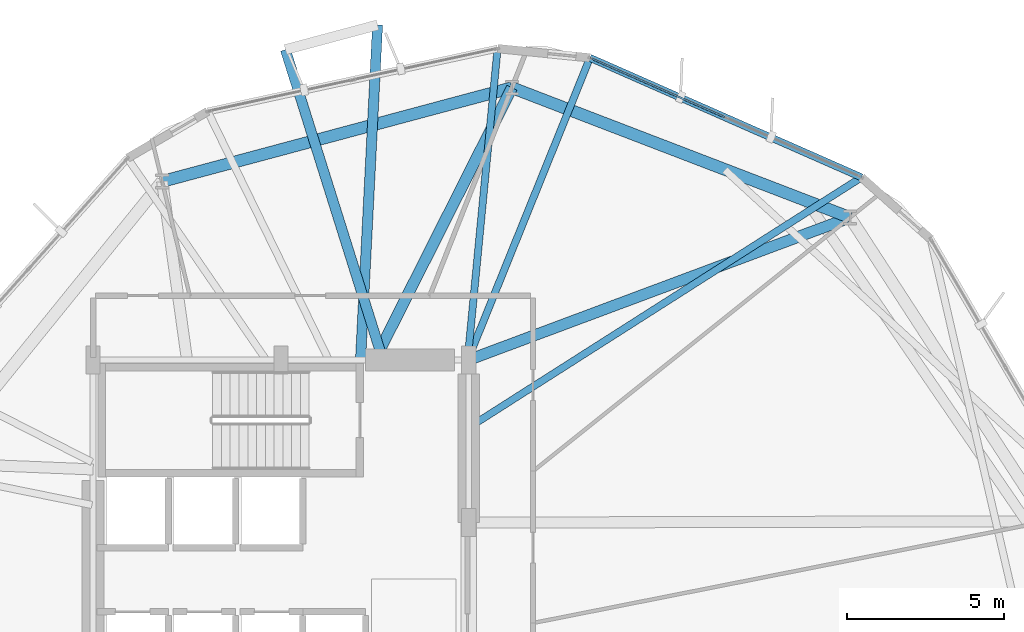
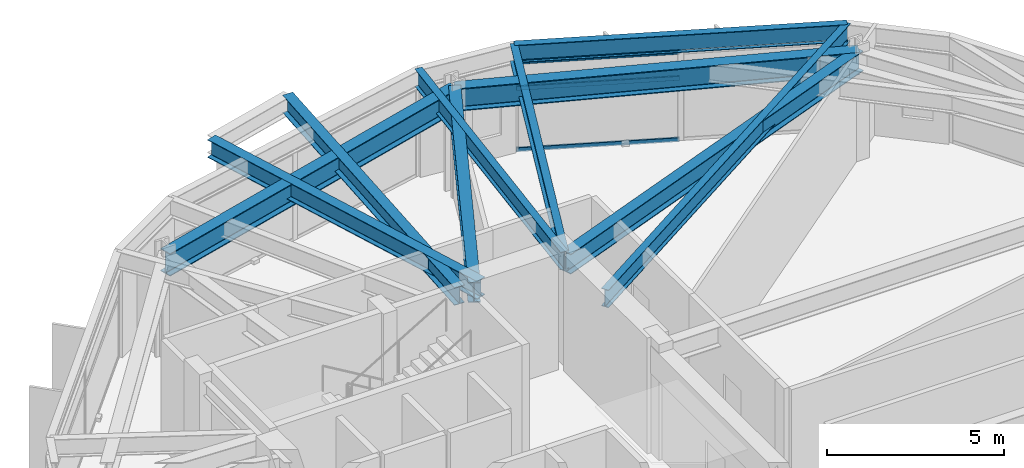
# One storey, part 12 of 22: 10 beams, 3 members, 1 element without a shape of its own.
"""IFC4 building model written with IfcOpenShell, lengths in metres."""

from ifc_helpers import new_model, si_unit, direction, frame, origin, origin_2d, place, context, subcontext, project, spatial, hollow_rectangle, i_section, extrude, material, layer, layer_set, material_profile, profile_set, type_object, element, aggregate, save


model = new_model("IFC4")

# Units and contexts
model_context = context("Model", 3, precision=1e-05, world=origin(), true_north=direction((0.0, 1.0)))
body_context = subcontext(model_context, "Body", "Model", "MODEL_VIEW")
ifc_project = project(units=[si_unit("LENGTHUNIT", "METRE"), si_unit("AREAUNIT", "SQUARE_METRE"), si_unit("VOLUMEUNIT", "CUBIC_METRE"), si_unit("PLANEANGLEUNIT", "RADIAN"), si_unit("MASSUNIT", "GRAM", prefix="KILO")], contexts=[model_context])

# Site, building, storey
site_placement = place(None, origin())
site = spatial("IfcSite", under=ifc_project, at=site_placement, CompositionType="ELEMENT")
building_placement = place(site_placement, origin())
building = spatial("IfcBuilding", under=site, at=building_placement, Name="Soratama Intermodal Tower", CompositionType="ELEMENT")
storey_placement = place(building_placement, frame((0.0, 0.0, 74.60009765625)))
storey = spatial("IfcBuildingStorey", under=building, at=storey_placement, Name="L17", CompositionType="ELEMENT", Elevation=74.60009765625)

# Beams
ifc_material_1 = material(Name="Structural steel ASTM A992 Grade 50", Category="steel")
ifc_material_profile_1 = material_profile(ifc_material_1, i_section(OverallWidth=0.324951171875, OverallDepth=0.615966796875, WebThickness=0.013916015625, FlangeThickness=0.021484375, FilletRadius=0.013916015625, at=origin_2d()), Name="W24X117")
ifc_profile_set_1 = profile_set([ifc_material_profile_1], Name="Structural steel ASTM A992 Grade 50")
beam_type_1 = type_object("IfcBeamType", Name="BM-CANT-W24X117", PredefinedType="BEAM", material=ifc_profile_set_1)
beam_1_placement = place(storey_placement, frame((41.14501953125, 35.0400390625, 3.391845703125), z_axis=(0.050773733127, 0.998710182197, 0.0), x_axis=(-0.998710182197, 0.050773733127, 0.0)))
element("IfcBeam", 1, at=beam_1_placement, inside=storey, type_object=beam_type_1, Name="BM-L17-CANT-2-1", PredefinedType="BEAM", context=body_context, shape_type="SweptSolid", body=[
    extrude(i_section(OverallWidth=0.324951171875, OverallDepth=0.615966796875, WebThickness=0.013916015625, FlangeThickness=0.021484375, FilletRadius=0.013916015625, at=origin_2d()), origin(), (0.0, 0.0, 1.0), 10.674560546875),
])
beam_2_placement = place(storey_placement, frame((41.845947265625, 35.0380859375, 3.391845703125), z_axis=(-0.299805742336, 0.954000270892, 0.0), x_axis=(-0.954000270892, -0.299805742336, 0.0)))
element("IfcBeam", 2, at=beam_2_placement, inside=storey, type_object=beam_type_1, Name="BM-L17-CANT-2-2", PredefinedType="BEAM", context=body_context, shape_type="SweptSolid", body=[
    extrude(i_section(OverallWidth=0.324951171875, OverallDepth=0.615966796875, WebThickness=0.013916015625, FlangeThickness=0.021484375, FilletRadius=0.013916015625, at=origin_2d()), origin(), (0.0, 0.0, 1.0), 10.35009765625),
])
ifc_material_2 = material(Name="Structural steel ASTM A992 Grade 50", Category="steel")
ifc_material_profile_2 = material_profile(ifc_material_2, i_section(OverallWidth=0.35498046875, OverallDepth=0.695068359375, WebThickness=0.015380859375, FlangeThickness=0.02490234375, FilletRadius=0.01611328125, at=origin_2d()), Name="W27X146")
ifc_profile_set_2 = profile_set([ifc_material_profile_2], Name="Structural steel ASTM A992 Grade 50")
beam_type_2 = type_object("IfcBeamType", Name="BM-RING-W27X146", PredefinedType="BEAM", material=ifc_profile_set_2)
beam_3_placement = place(storey_placement, frame((44.60009765625, 35.0, 3.352294921875), z_axis=(0.936827486358, 0.349791739189, 0.0), x_axis=(-0.349791739189, 0.936827486358, 0.0)))
element("IfcBeam", 3, at=beam_3_placement, inside=storey, type_object=beam_type_2, Name="BM-L17-RAD-02", PredefinedType="BEAM", context=body_context, shape_type="SweptSolid", body=[
    extrude(i_section(OverallWidth=0.35498046875, OverallDepth=0.695068359375, WebThickness=0.015380859375, FlangeThickness=0.02490234375, FilletRadius=0.01611328125, at=origin_2d()), origin(), (0.0, 0.0, 1.0), 13.002197265625),
])
beam_4_placement = place(storey_placement, frame((41.60009765625, 35.0, 3.352294921875), z_axis=(0.449910017166, 0.893073891934, 0.0), x_axis=(-0.893073891934, 0.449910017166, 0.0)))
element("IfcBeam", 4, at=beam_4_placement, inside=storey, type_object=beam_type_2, Name="BM-L17-RAD-03", PredefinedType="BEAM", context=body_context, shape_type="SweptSolid", body=[
    extrude(i_section(OverallWidth=0.35498046875, OverallDepth=0.695068359375, WebThickness=0.015380859375, FlangeThickness=0.02490234375, FilletRadius=0.01611328125, at=origin_2d()), origin(), (0.0, 0.0, 1.0), 9.735107421875),
])
ifc_material_3 = material(Name="Structural steel ASTM A992 Grade 50", Category="steel")
ifc_material_profile_3 = material_profile(ifc_material_3, i_section(OverallWidth=0.382080078125, OverallDepth=0.779052734375, WebThickness=0.01806640625, FlangeThickness=0.030029296875, FilletRadius=0.01806640625, at=origin_2d()), Name="W30X191")
ifc_profile_set_3 = profile_set([ifc_material_profile_3], Name="Structural steel ASTM A992 Grade 50")
beam_type_3 = type_object("IfcBeamType", Name="BM-RING-W30X191", PredefinedType="BEAM", material=ifc_profile_set_3)
beam_5_placement = place(storey_placement, frame((56.781005859375, 39.548095703125, 3.310302734375), z_axis=(-0.933584159632, 0.358358224246, 0.0), x_axis=(-0.358358224246, -0.933584159632, 0.0)))
element("IfcBeam", 5, at=beam_5_placement, inside=storey, type_object=beam_type_3, Name="BM-L17-RING-02", PredefinedType="BEAM", context=body_context, shape_type="SweptSolid", body=[
    extrude(i_section(OverallWidth=0.382080078125, OverallDepth=0.779052734375, WebThickness=0.01806640625, FlangeThickness=0.030029296875, FilletRadius=0.01806640625, at=origin_2d()), origin(), (0.0, 0.0, 1.0), 11.5693359375),
])
beam_6_placement = place(storey_placement, frame((45.97998046875, 43.694091796875, 3.310302734375), z_axis=(-0.965935902196, -0.258781438376, 0.0), x_axis=(0.258781438376, -0.965935902196, 0.0)))
element("IfcBeam", 6, at=beam_6_placement, inside=storey, type_object=beam_type_3, Name="BM-L17-RING-03", PredefinedType="BEAM", context=body_context, shape_type="SweptSolid", body=[
    extrude(i_section(OverallWidth=0.382080078125, OverallDepth=0.779052734375, WebThickness=0.01806640625, FlangeThickness=0.030029296875, FilletRadius=0.01806640625, at=origin_2d()), origin(), (0.0, 0.0, 1.0), 11.570068359375),
])
ifc_material_4 = material(Name="Structural steel ASTM A992 Grade 50", Category="steel")
ifc_material_profile_4 = material_profile(ifc_material_4, i_section(OverallWidth=0.22900390625, OverallDepth=0.612060546875, WebThickness=0.011962890625, FlangeThickness=0.01953125, FilletRadius=0.012939453125, at=origin_2d()), Name="W24X84")
ifc_profile_set_4 = profile_set([ifc_material_profile_4], Name="Structural steel ASTM A992 Grade 50")
beam_type_4 = type_object("IfcBeamType", Name="BM-SPN-W24X84", PredefinedType="SPANDREL", material=ifc_profile_set_4)
beam_7_placement = place(storey_placement, frame((57.14697265625, 40.8310546875, 3.393798828125), z_axis=(-0.915227267836, 0.402938020307, 0.0), x_axis=(-0.402938020307, -0.915227267836, 0.0)))
element("IfcBeam", 7, at=beam_7_placement, inside=storey, type_object=beam_type_4, Name="BS-L17-F02", PredefinedType="SPANDREL", context=body_context, shape_type="SweptSolid", body=[
    extrude(i_section(OverallWidth=0.22900390625, OverallDepth=0.612060546875, WebThickness=0.011962890625, FlangeThickness=0.01953125, FilletRadius=0.012939453125, at=origin_2d()), origin(), (0.0, 0.0, 1.0), 9.4775390625),
])
ifc_material_5 = material(Name="Structural steel ASTM A992 Grade 50", Category="steel")
ifc_material_profile_5 = material_profile(ifc_material_5, i_section(OverallWidth=0.22900390625, OverallDepth=0.612060546875, WebThickness=0.011962890625, FlangeThickness=0.01953125, FilletRadius=0.012939453125, at=origin_2d()), Name="W24X84")
ifc_profile_set_5 = profile_set([ifc_material_profile_5], Name="Structural steel ASTM A992 Grade 50")
beam_type_5 = type_object("IfcBeamType", Name="BM-TIE-W24X84", PredefinedType="BEAM", material=ifc_profile_set_5)
beam_8_placement = place(storey_placement, frame((44.634033203125, 32.85888671875, 3.393798828125), z_axis=(0.843374757873, 0.537325802267, 0.0), x_axis=(-0.537325802267, 0.843374757873, 0.0)))
element("IfcBeam", 8, at=beam_8_placement, inside=storey, type_object=beam_type_5, Name="BM-L17-TIE0-02", PredefinedType="BEAM", context=body_context, shape_type="SweptSolid", body=[
    extrude(i_section(OverallWidth=0.22900390625, OverallDepth=0.612060546875, WebThickness=0.011962890625, FlangeThickness=0.01953125, FilletRadius=0.012939453125, at=origin_2d()), origin(), (0.0, 0.0, 1.0), 14.836669921875),
])
beam_9_placement = place(storey_placement, frame((44.5849609375, 35.037109375, 3.393798828125), z_axis=(0.374948054945, 0.927045822003, 0.0), x_axis=(-0.927045822003, 0.374948054945, 0.0)))
element("IfcBeam", 9, at=beam_9_placement, inside=storey, type_object=beam_type_5, Name="BM-L17-TIE1-02", PredefinedType="BEAM", context=body_context, shape_type="SweptSolid", body=[
    extrude(i_section(OverallWidth=0.22900390625, OverallDepth=0.612060546875, WebThickness=0.011962890625, FlangeThickness=0.01953125, FilletRadius=0.012939453125, at=origin_2d()), origin(), (0.0, 0.0, 1.0), 10.369384765625),
])
beam_10_placement = place(storey_placement, frame((44.568115234375, 35.0400390625, 3.393798828125), z_axis=(0.095740918671, 0.995406287147, 0.0), x_axis=(-0.995406287147, 0.095740918671, 0.0)))
element("IfcBeam", 10, at=beam_10_placement, inside=storey, type_object=beam_type_5, Name="BM-L17-TIE0-03", PredefinedType="BEAM", context=body_context, shape_type="SweptSolid", body=[
    extrude(i_section(OverallWidth=0.22900390625, OverallDepth=0.612060546875, WebThickness=0.011962890625, FlangeThickness=0.01953125, FilletRadius=0.012939453125, at=origin_2d()), origin(), (0.0, 0.0, 1.0), 9.95263671875),
])

# Curtain wall, members
ifc_material_6 = material(Name="Double-glazed aluminium curtain wall", Category="aluminium")
ifc_layer = layer(ifc_material_6, 0.159912109375)
ifc_layer_set = layer_set([ifc_layer], Name="Double-glazed aluminium curtain wall")
curtain_wall_type = type_object("IfcCurtainWallType", Name="CW-SYS-2", PredefinedType="NOTDEFINED", material=ifc_layer_set)
curtain_wall_placement = place(storey_placement, origin())
curtain_wall = element("IfcCurtainWall", 11, at=curtain_wall_placement, inside=storey, type_object=curtain_wall_type, Name="L17 Faceted Curtain Wall F02", PredefinedType="NOTDEFINED")
ifc_material_7 = material(Name="Anodised aluminium AA 6063-T6", Category="aluminium")
ifc_material_profile_6 = material_profile(ifc_material_7, hollow_rectangle(XDim=0.06494140625, YDim=0.14990234375, WallThickness=0.0048828125, InnerFilletRadius=0.0048828125, OuterFilletRadius=0.010009765625, at=origin_2d()), Name="CWT150X65X5")
ifc_profile_set_6 = profile_set([ifc_material_profile_6], Name="Anodised aluminium AA 6063-T6")
member_type = type_object("IfcMemberType", Name="TT-CWT-1", PredefinedType="USERDEFINED", material=ifc_profile_set_6)
member_1_placement = place(storey_placement, frame((52.7822265625, 42.752685546875, 0.02978515625), z_axis=(-0.915226724867, 0.402939253597, 0.0), x_axis=(-0.402939253597, -0.915226724867, 0.0)))
member_1 = element("IfcMember", 12, at=member_1_placement, type_object=member_type, Name="CW-2 transom 2.1", ObjectType="TRANSOM", PredefinedType="USERDEFINED", context=body_context, shape_type="SweptSolid", body=[
    extrude(hollow_rectangle(XDim=0.06494140625, YDim=0.14990234375, WallThickness=0.0048828125, InnerFilletRadius=0.0048828125, OuterFilletRadius=0.010009765625, at=origin_2d()), origin(), (0.0, 0.0, 1.0), 4.6484375),
])
member_2_placement = place(storey_placement, frame((52.7822265625, 42.752685546875, 2.14990234375), z_axis=(-0.915226724867, 0.402939253597, 0.0), x_axis=(-0.402939253597, -0.915226724867, 0.0)))
member_2 = element("IfcMember", 13, at=member_2_placement, type_object=member_type, Name="CW-2 transom 2.2", ObjectType="TRANSOM", PredefinedType="USERDEFINED", context=body_context, shape_type="SweptSolid", body=[
    extrude(hollow_rectangle(XDim=0.06494140625, YDim=0.14990234375, WallThickness=0.0048828125, InnerFilletRadius=0.0048828125, OuterFilletRadius=0.010009765625, at=origin_2d()), origin(), (0.0, 0.0, 1.0), 4.6484375),
])
member_3_placement = place(storey_placement, frame((52.7822265625, 42.752685546875, 3.048828125), z_axis=(-0.915226724867, 0.402939253597, 0.0), x_axis=(-0.402939253597, -0.915226724867, 0.0)))
member_3 = element("IfcMember", 14, at=member_3_placement, type_object=member_type, Name="CW-2 transom 2.3", ObjectType="TRANSOM", PredefinedType="USERDEFINED", context=body_context, shape_type="SweptSolid", body=[
    extrude(hollow_rectangle(XDim=0.06494140625, YDim=0.14990234375, WallThickness=0.0048828125, InnerFilletRadius=0.0048828125, OuterFilletRadius=0.010009765625, at=origin_2d()), origin(), (0.0, 0.0, 1.0), 4.6484375),
])
aggregate(curtain_wall, [member_1, member_2, member_3])

save(model, "model.ifc")
